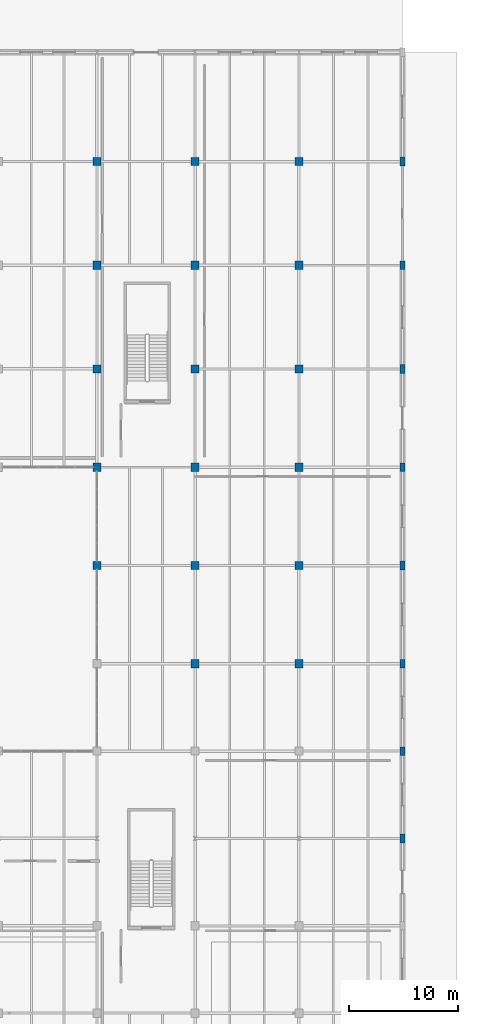
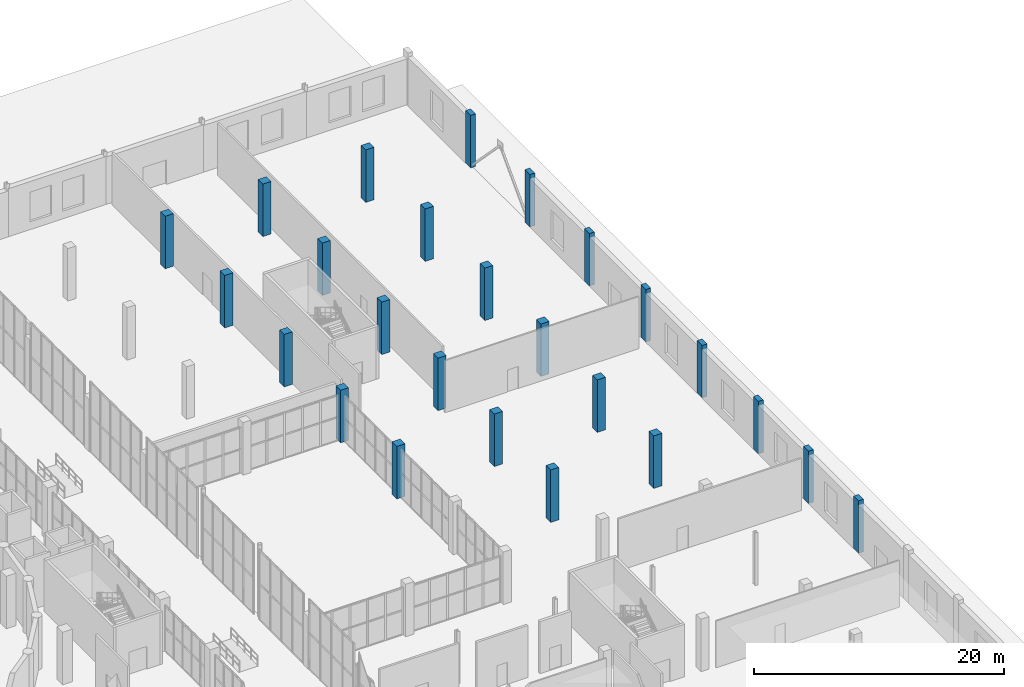
# One storey, part 26 of 103: 25 columns.
"""IFC4 building model written with IfcOpenShell, lengths in metres."""

from ifc_helpers import new_model, si_unit, direction, frame, origin, origin_2d, place, context, subcontext, project, spatial, rectangle, extrude, material, material_profile, profile_set, type_object, element, save


model = new_model("IFC4")

# Units and contexts
model_context = context("Model", 3, precision=1e-05, world=origin(), true_north=direction((0.0, 1.0)))
body_context = subcontext(model_context, "Body", "Model", "MODEL_VIEW")
ifc_project = project(units=[si_unit("LENGTHUNIT", "METRE"), si_unit("AREAUNIT", "SQUARE_METRE"), si_unit("VOLUMEUNIT", "CUBIC_METRE"), si_unit("PLANEANGLEUNIT", "RADIAN"), si_unit("MASSUNIT", "GRAM", prefix="KILO")], contexts=[model_context])

# Site, building, storey
site_placement = place(None, origin())
site = spatial("IfcSite", under=ifc_project, at=site_placement, CompositionType="ELEMENT")
building_placement = place(site_placement, origin())
building = spatial("IfcBuilding", under=site, at=building_placement, Name="Marnock Terrace Opera House", CompositionType="ELEMENT")
storey_placement = place(building_placement, origin())
storey = spatial("IfcBuildingStorey", under=building, at=storey_placement, Name="L00", CompositionType="ELEMENT", Elevation=0.0)

# Columns
ifc_material_1 = material(Name="Concrete N40 (f'c = 40 MPa)", Category="concrete")
ifc_material_profile_1 = material_profile(ifc_material_1, rectangle(XDim=0.449951171875, YDim=0.800048828125, at=origin_2d()))
ifc_profile_set_1 = profile_set([ifc_material_profile_1], Name="Concrete N40 (f'c = 40 MPa)")
column_type_1 = type_object("IfcColumnType", Name="COL-PIL-800", PredefinedType="PILASTER", material=ifc_profile_set_1)
for number, where, z_axis, x_axis, name in (
    (1, (164.0, 32.0, 0.0), (0.0, 0.0, 1.0), (1.0, 0.0, 0.0), "L00 column at (164.0, 32.0)"),
    (2, (164.0, 40.0, 0.0), (0.0, 0.0, 1.0), (1.0, 0.0, 0.0), "L00 column at (164.0, 40.0)"),
    (3, (164.0, 48.0, 0.0), (0.0, 0.0, 1.0), (1.0, 0.0, 0.0), "L00 column at (164.0, 48.0)"),
    (4, (164.0, 57.0, 0.0), (0.0, 0.0, 1.0), (1.0, 0.0, 0.0), "L00 column at (164.0, 57.0)"),
    (5, (164.0, 66.0, 0.0), (0.0, 0.0, 1.0), (1.0, 0.0, 0.0), "L00 column at (164.0, 66.0)"),
    (6, (164.0, 75.0, 0.0), (0.0, 0.0, 1.0), (1.0, 0.0, 0.0), "L00 column at (164.0, 75.0)"),
    (7, (164.0, 84.5, 0.0), (0.0, 0.0, 1.0), (1.0, 0.0, 0.0), "L00 column at (164.0, 84.5)"),
    (8, (164.0, 94.0, 0.0), (0.0, 0.0, 1.0), (1.0, 0.0, 0.0), "L00 column at (164.0, 94.0)"),
):
    element("IfcColumn", number, at=place(storey_placement, frame(where, z_axis=z_axis, x_axis=x_axis)), inside=storey, type_object=column_type_1, Name=name, PredefinedType="PILASTER", context=body_context, shape_type="SweptSolid", body=[
        extrude(rectangle(XDim=0.449951171875, YDim=0.800048828125, at=origin_2d()), origin(), (0.0, 0.0, 1.0), 5.1201171875),
    ])
ifc_material_2 = material(Name="Concrete N50 (f'c = 50 MPa)", Category="concrete")
ifc_material_profile_2 = material_profile(ifc_material_2, rectangle(XDim=0.75, YDim=0.75, at=origin_2d()))
ifc_profile_set_2 = profile_set([ifc_material_profile_2], Name="Concrete N50 (f'c = 50 MPa)")
column_type_2 = type_object("IfcColumnType", Name="COL-RC750", PredefinedType="COLUMN", material=ifc_profile_set_2)
for number, where, z_axis, x_axis, name in (
    (9, (136.0, 57.0, 0.0), (0.0, 0.0, 1.0), (1.0, 0.0, 0.0), "L00 column at (136.0, 57.0)"),
    (10, (136.0, 66.0, 0.0), (0.0, 0.0, 1.0), (1.0, 0.0, 0.0), "L00 column at (136.0, 66.0)"),
    (11, (136.0, 75.0, 0.0), (0.0, 0.0, 1.0), (1.0, 0.0, 0.0), "L00 column at (136.0, 75.0)"),
    (12, (136.0, 84.5, 0.0), (0.0, 0.0, 1.0), (1.0, 0.0, 0.0), "L00 column at (136.0, 84.5)"),
    (13, (136.0, 94.0, 0.0), (0.0, 0.0, 1.0), (1.0, 0.0, 0.0), "L00 column at (136.0, 94.0)"),
    (14, (145.0, 48.0, 0.0), (0.0, 0.0, 1.0), (1.0, 0.0, 0.0), "L00 column at (145.0, 48.0)"),
    (15, (145.0, 57.0, 0.0), (0.0, 0.0, 1.0), (1.0, 0.0, 0.0), "L00 column at (145.0, 57.0)"),
    (16, (145.0, 66.0, 0.0), (0.0, 0.0, 1.0), (1.0, 0.0, 0.0), "L00 column at (145.0, 66.0)"),
    (17, (145.0, 75.0, 0.0), (0.0, 0.0, 1.0), (1.0, 0.0, 0.0), "L00 column at (145.0, 75.0)"),
    (18, (145.0, 84.5, 0.0), (0.0, 0.0, 1.0), (1.0, 0.0, 0.0), "L00 column at (145.0, 84.5)"),
    (19, (145.0, 94.0, 0.0), (0.0, 0.0, 1.0), (1.0, 0.0, 0.0), "L00 column at (145.0, 94.0)"),
    (20, (154.5, 48.0, 0.0), (0.0, 0.0, 1.0), (1.0, 0.0, 0.0), "L00 column at (154.5, 48.0)"),
    (21, (154.5, 57.0, 0.0), (0.0, 0.0, 1.0), (1.0, 0.0, 0.0), "L00 column at (154.5, 57.0)"),
    (22, (154.5, 66.0, 0.0), (0.0, 0.0, 1.0), (1.0, 0.0, 0.0), "L00 column at (154.5, 66.0)"),
    (23, (154.5, 75.0, 0.0), (0.0, 0.0, 1.0), (1.0, 0.0, 0.0), "L00 column at (154.5, 75.0)"),
    (24, (154.5, 84.5, 0.0), (0.0, 0.0, 1.0), (1.0, 0.0, 0.0), "L00 column at (154.5, 84.5)"),
    (25, (154.5, 94.0, 0.0), (0.0, 0.0, 1.0), (1.0, 0.0, 0.0), "L00 column at (154.5, 94.0)"),
):
    element("IfcColumn", number, at=place(storey_placement, frame(where, z_axis=z_axis, x_axis=x_axis)), inside=storey, type_object=column_type_2, Name=name, PredefinedType="COLUMN", context=body_context, shape_type="SweptSolid", body=[
        extrude(rectangle(XDim=0.75, YDim=0.75, at=origin_2d()), origin(), (0.0, 0.0, 1.0), 5.1201171875),
    ])

save(model, "model.ifc")
